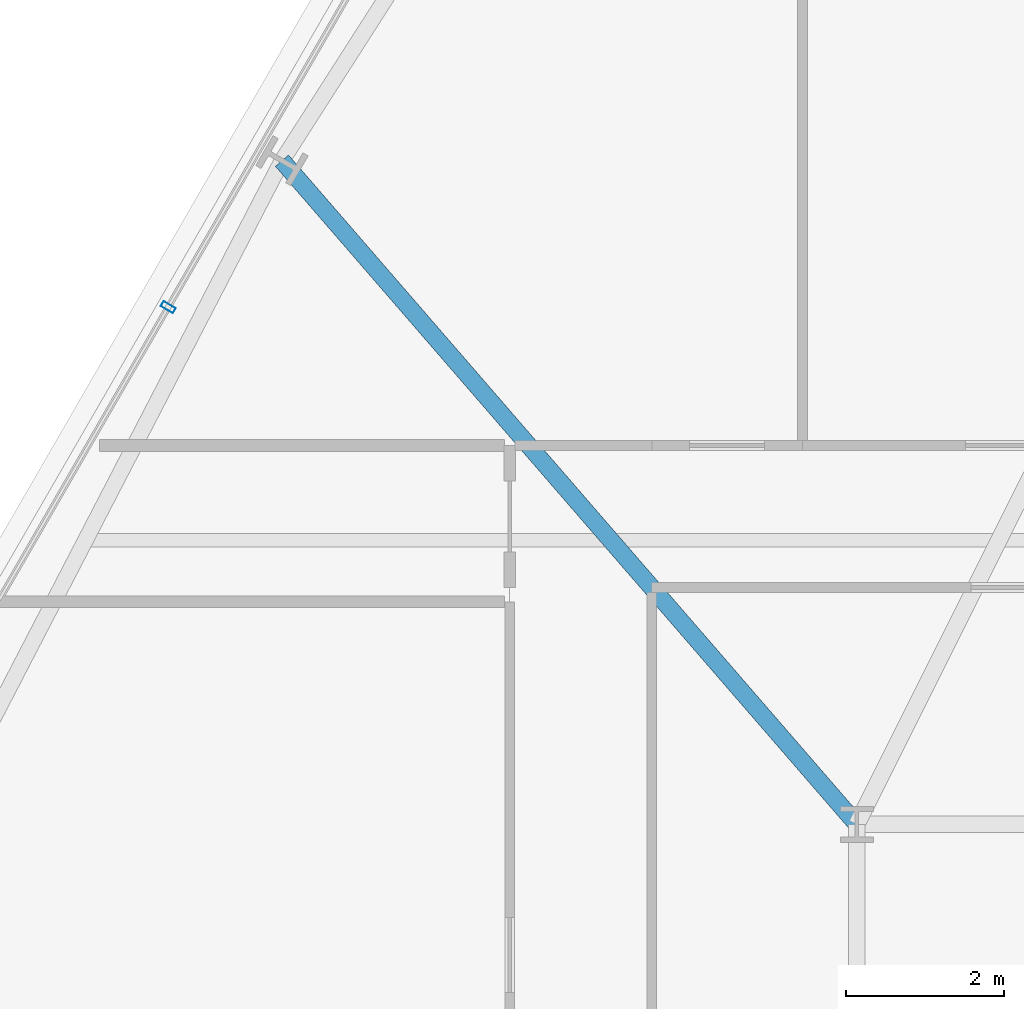
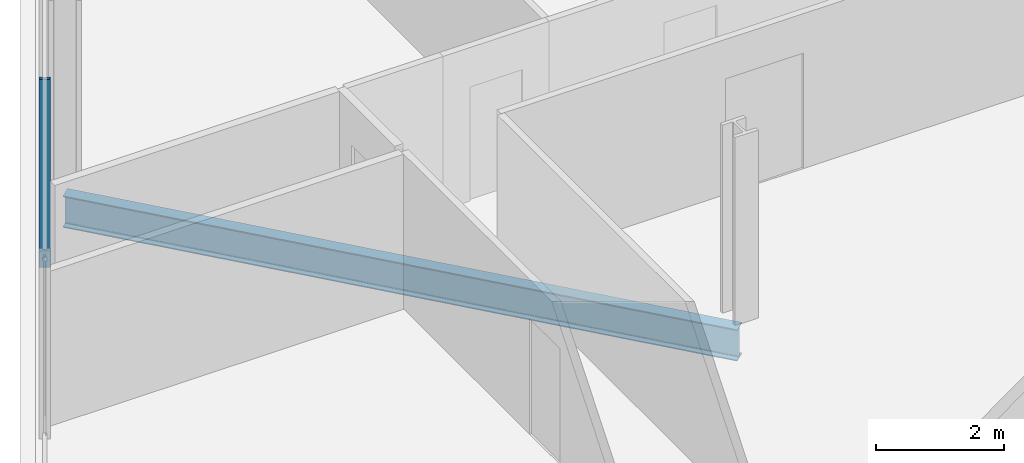
# One storey, part 12 of 33: 1 beam, 1 member, 1 element without a shape of its own.
"""IFC4 building model written with IfcOpenShell, lengths in metres."""

from ifc_helpers import new_model, si_unit, direction, frame, origin, origin_2d, place, context, subcontext, project, spatial, hollow_rectangle, i_section, extrude, material, layer, layer_set, material_profile, profile_set, type_object, element, aggregate, save


model = new_model("IFC4")

# Units and contexts
model_context = context("Model", 3, precision=1e-05, world=origin(), true_north=direction((0.0, 1.0)))
body_context = subcontext(model_context, "Body", "Model", "MODEL_VIEW")
ifc_project = project(units=[si_unit("LENGTHUNIT", "METRE"), si_unit("AREAUNIT", "SQUARE_METRE"), si_unit("VOLUMEUNIT", "CUBIC_METRE"), si_unit("PLANEANGLEUNIT", "RADIAN"), si_unit("MASSUNIT", "GRAM", prefix="KILO")], contexts=[model_context])

# Site, building, storey
site_placement = place(None, origin())
site = spatial("IfcSite", under=ifc_project, at=site_placement, CompositionType="ELEMENT")
building_placement = place(site_placement, origin())
building = spatial("IfcBuilding", under=site, at=building_placement, Name="Ndaravel Arena Tower", CompositionType="ELEMENT")
storey_placement = place(building_placement, frame((0.0, 0.0, 81.60009765625)))
storey = spatial("IfcBuildingStorey", under=building, at=storey_placement, Name="L18", CompositionType="ELEMENT", Elevation=81.60009765625)

# Beam
ifc_material_1 = material(Name="Steel S355", Category="steel")
ifc_material_profile_1 = material_profile(ifc_material_1, i_section(OverallWidth=0.219970703125, OverallDepth=0.60009765625, WebThickness=0.011962890625, FlangeThickness=0.01904296875, FilletRadius=0.02392578125, at=origin_2d()), Name="IPE 600")
ifc_profile_set_1 = profile_set([ifc_material_profile_1], Name="Steel S355")
beam_type = type_object("IfcBeamType", Name="BM-GIRD-IPE600", PredefinedType="BEAM", material=ifc_profile_set_1)
beam_placement = place(storey_placement, frame((26.912841796875, 31.61181640625, -0.52001953125), z_axis=(0.654767668006, -0.755830206418, 0.0), x_axis=(0.755830206418, 0.654767668006, 0.0)))
element("IfcBeam", 1, at=beam_placement, inside=storey, type_object=beam_type, Name="L18 Radial Floor Girder FG-19", PredefinedType="BEAM", context=body_context, shape_type="SweptSolid", body=[
    extrude(i_section(OverallWidth=0.219970703125, OverallDepth=0.60009765625, WebThickness=0.011962890625, FlangeThickness=0.01904296875, FilletRadius=0.02392578125, at=origin_2d()), origin(), (0.0, 0.0, 1.0), 11.12939453125),
])

# Curtain wall, member
ifc_material_2 = material(Name="Aluminium", Category="aluminium")
ifc_layer = layer(ifc_material_2, 0.179931640625)
ifc_layer_set = layer_set([ifc_layer], Name="Aluminium")
curtain_wall_type = type_object("IfcCurtainWallType", Name="CW-SYS-03", PredefinedType="NOTDEFINED", material=ifc_layer_set)
curtain_wall_placement = place(storey_placement, origin())
curtain_wall = element("IfcCurtainWall", 2, at=curtain_wall_placement, inside=storey, type_object=curtain_wall_type, Name="L18 Faceted Crystal Curtain Wall CW-L18-E05", PredefinedType="NOTDEFINED")
ifc_material_3 = material(Name="Aluminium", Category="aluminium")
ifc_material_profile_2 = material_profile(ifc_material_3, hollow_rectangle(XDim=0.074951171875, YDim=0.179931640625, WallThickness=0.00390625, at=origin_2d()), Name="CW MULLION 75x180x4")
ifc_profile_set_2 = profile_set([ifc_material_profile_2], Name="Aluminium")
member_type = type_object("IfcMemberType", Name="MEM-CW-MUL180", PredefinedType="MULLION", material=ifc_profile_set_2)
member_placement = place(storey_placement, frame((25.470703125, 29.754150390625, 0.0), z_axis=(0.0, 0.0, 1.0), x_axis=(-0.5, -0.866025403784, 0.0)))
member = element("IfcMember", 3, at=member_placement, type_object=member_type, Name="CW-L18-E05 Mullion 04", PredefinedType="MULLION", context=body_context, shape_type="SweptSolid", body=[
    extrude(hollow_rectangle(XDim=0.074951171875, YDim=0.179931640625, WallThickness=0.00390625, at=origin_2d()), origin(), (0.0, 0.0, 1.0), 3.579833984375),
])
aggregate(curtain_wall, [member])

save(model, "model.ifc")
